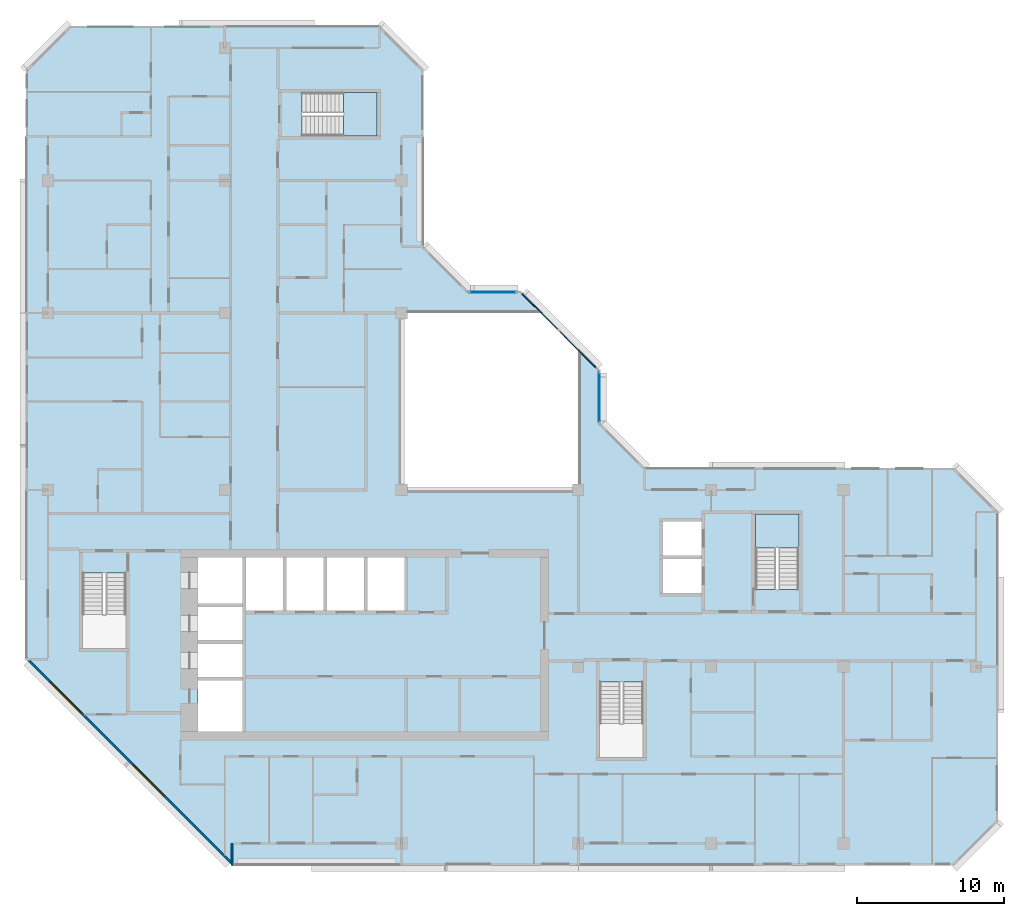
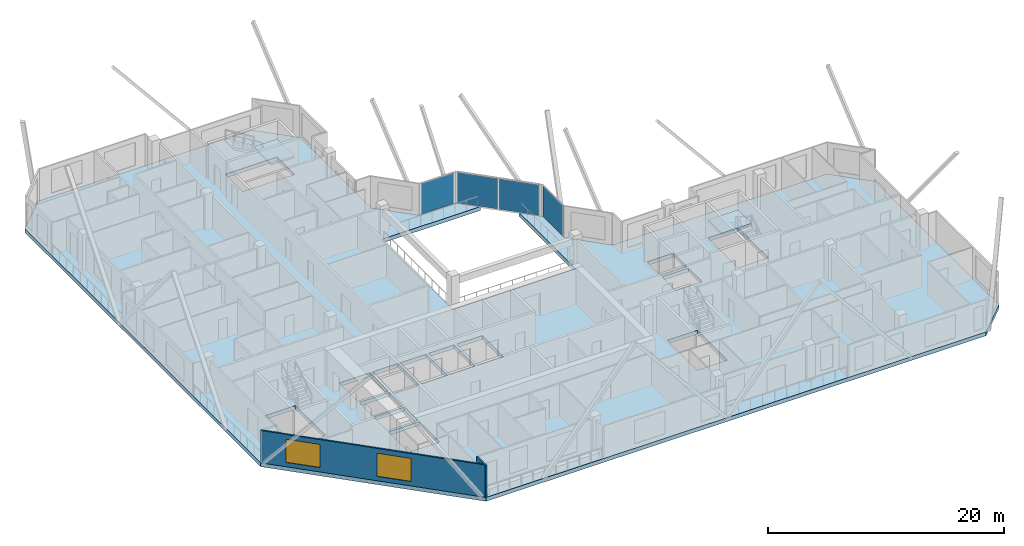
# One storey, part 3 of 13: 4 plates, 3 slabs, 2 walls, 2 windows, 2 openings, 5 elements without a shape of their own.
"""IFC4 building model written with IfcOpenShell, lengths in metres."""

from ifc_helpers import new_model, si_unit, direction, frame, frame_2d, origin, origin_2d, place, context, subcontext, project, spatial, polyline, rectangle, outline, extrude, material, layer, layer_set, type_object, element, fill, aggregate, save


model = new_model("IFC4")

# Units and contexts
model_context = context("Model", 3, precision=1e-05, world=origin(), true_north=direction((0.0, 1.0)))
body_context = subcontext(model_context, "Body", "Model", "MODEL_VIEW")
ifc_project = project(units=[si_unit("LENGTHUNIT", "METRE"), si_unit("AREAUNIT", "SQUARE_METRE"), si_unit("VOLUMEUNIT", "CUBIC_METRE"), si_unit("PLANEANGLEUNIT", "RADIAN"), si_unit("MASSUNIT", "GRAM", prefix="KILO")], contexts=[model_context])

# Site, building, storey
site_placement = place(None, origin())
site = spatial("IfcSite", under=ifc_project, at=site_placement, CompositionType="ELEMENT")
building_placement = place(site_placement, origin())
building = spatial("IfcBuilding", under=site, at=building_placement, Name="Chenar Terraces", CompositionType="ELEMENT")
storey_placement = place(building_placement, frame((0.0, 0.0, 310.89990234375)))
storey = spatial("IfcBuildingStorey", under=building, at=storey_placement, Name="L73", CompositionType="ELEMENT", Elevation=310.89990234375)

# Curtain wall, plate
ifc_material_1 = material(Name="Aluminium framed glazing", Category="aluminium")
ifc_layer_1 = layer(ifc_material_1, 0.14990234375)
ifc_layer_set_1 = layer_set([ifc_layer_1], Name="Aluminium framed glazing")
curtain_wall_type = type_object("IfcCurtainWallType", Name="Atrium upper-zone curtain wall", PredefinedType="NOTDEFINED", material=ifc_layer_set_1)
placement_1 = place(storey_placement, origin())
curtain_wall_1 = element("IfcCurtainWall", 1, at=placement_1, inside=storey, type_object=curtain_wall_type, Name="Atrium upper-zone curtain wall", PredefinedType="NOTDEFINED")
ifc_material_2 = material(Name="Low emissivity laminated glass, solar control coating", Category="glass")
ifc_layer_2 = layer(ifc_material_2, 0.050048828125)
ifc_layer_set_2 = layer_set([ifc_layer_2], Name="Low emissivity laminated glass, solar control coating")
plate_type = type_object("IfcPlateType", Name="Atrium upper-zone glazing panel 50", PredefinedType="CURTAIN_PANEL", material=ifc_layer_set_2)
plate_1_placement = place(storey_placement, frame((37.425048828125, 30.300048828125, 0.10009765625), z_axis=(0.0, 0.0, 1.0), x_axis=(0.0, 1.0, 0.0)))
plate_1 = element("IfcPlate", 2, at=plate_1_placement, type_object=plate_type, Name="CW8-1 panel 1.1", PredefinedType="CURTAIN_PANEL", context=body_context, shape_type="SweptSolid", body=[
    extrude(rectangle(XDim=3.39990234375, YDim=0.050048828125, at=origin_2d()), origin(), (0.0, 0.0, 1.0), 3.14990234375),
])
aggregate(curtain_wall_1, [plate_1])

# Curtain wall, plates
curtain_wall_2 = element("IfcCurtainWall", 3, at=placement_1, inside=storey, type_object=curtain_wall_type, Name="Atrium upper-zone curtain wall", PredefinedType="NOTDEFINED")
plate_2_placement = place(storey_placement, frame((35.97314453125, 33.520751953125, 0.10009765625), z_axis=(0.0, 0.0, 1.0), x_axis=(-0.707106781187, 0.707106781187, 0.0)))
plate_2 = element("IfcPlate", 4, at=plate_2_placement, type_object=plate_type, Name="CW8-2 panel 1.1", PredefinedType="CURTAIN_PANEL", context=body_context, shape_type="SweptSolid", body=[
    extrude(rectangle(XDim=3.568359375, YDim=0.050048828125, at=origin_2d()), origin(), (0.0, 0.0, 1.0), 3.14990234375),
])
plate_3_placement = place(storey_placement, frame((33.379150390625, 36.11474609375, 0.10009765625), z_axis=(0.0, 0.0, 1.0), x_axis=(-0.707106781187, 0.707106781187, 0.0)))
plate_3 = element("IfcPlate", 5, at=plate_3_placement, type_object=plate_type, Name="CW8-2 panel 2.1", PredefinedType="CURTAIN_PANEL", context=body_context, shape_type="SweptSolid", body=[
    extrude(rectangle(XDim=3.568359375, YDim=0.050048828125, at=origin_2d()), origin(), (0.0, 0.0, 1.0), 3.14990234375),
])
aggregate(curtain_wall_2, [plate_2, plate_3])

# Curtain wall, plate
curtain_wall_3 = element("IfcCurtainWall", 6, at=placement_1, inside=storey, type_object=curtain_wall_type, Name="Atrium upper-zone curtain wall", PredefinedType="NOTDEFINED")
plate_4_placement = place(storey_placement, frame((30.199951171875, 37.425048828125, 0.10009765625), z_axis=(0.0, 0.0, 1.0), x_axis=(-1.0, 0.0, 0.0)))
plate_4 = element("IfcPlate", 7, at=plate_4_placement, type_object=plate_type, Name="CW8-3 panel 1.1", PredefinedType="CURTAIN_PANEL", context=body_context, shape_type="SweptSolid", body=[
    extrude(rectangle(XDim=3.199951171875, YDim=0.050048828125, at=origin_2d()), origin(), (0.0, 0.0, 1.0), 3.14990234375),
])
aggregate(curtain_wall_3, [plate_4])

# Stair, slab
ifc_material_3 = material(Name="Reinforced concrete C40/50", Category="concrete")
stair_type = type_object("IfcStairType", Name="Core stair 1400 half-turn", PredefinedType="HALF_TURN_STAIR", material=ifc_material_3)
stair_1 = element("IfcStair", 8, at=placement_1, inside=storey, type_object=stair_type, Name="L73 Stair 3", PredefinedType="HALF_TURN_STAIR")
ifc_material_4 = material(Name="Reinforced concrete C40/50", Category="concrete")
ifc_layer_3 = layer(ifc_material_4, 0.199951171875)
ifc_layer_set_3 = layer_set([ifc_layer_3], Name="Reinforced concrete C40/50")
slab_type_1 = type_object("IfcSlabType", Name="Core stair landing 200", PredefinedType="LANDING", material=ifc_layer_set_3)
placement_2 = place(storey_placement, frame((0.0, 0.0, 1.675048828125)))
slab_1 = element("IfcSlab", 9, at=placement_2, type_object=slab_type_1, Name="ST3 landing 1", PredefinedType="LANDING", context=body_context, shape_type="SweptSolid", body=[
    extrude(outline(polyline([(50.97509765625, 20.050048828125), (50.97509765625, 22.35009765625), (48.02490234375, 22.35009765625), (48.02490234375, 20.050048828125), (50.97509765625, 20.050048828125)])), origin(), (0.0, 0.0, 1.0), 0.199951171875),
])
aggregate(stair_1, [slab_1])

stair_2 = element("IfcStair", 10, at=placement_1, inside=storey, type_object=stair_type, Name="L73 Stair 4", PredefinedType="HALF_TURN_STAIR")
slab_2 = element("IfcSlab", 11, at=placement_2, type_object=slab_type_1, Name="ST4 landing 1", PredefinedType="LANDING", context=body_context, shape_type="SweptSolid", body=[
    extrude(outline(polyline([(20.050048828125, 48.02490234375), (22.35009765625, 48.02490234375), (22.35009765625, 50.97509765625), (20.050048828125, 50.97509765625), (20.050048828125, 48.02490234375)])), origin(), (0.0, 0.0, 1.0), 0.199951171875),
])
aggregate(stair_2, [slab_2])

# Slab
ifc_material_5 = material(Name="Concrete C40/50", Category="concrete")
ifc_layer_4 = layer(ifc_material_5, 0.39990234375)
ifc_layer_set_4 = layer_set([ifc_layer_4], Name="Concrete C40/50")
slab_type_2 = type_object("IfcSlabType", Name="Floor slab 400 Concrete C40/50", PredefinedType="FLOOR", material=ifc_layer_set_4)
slab_3_placement = place(storey_placement, frame((0.0, 0.0, -0.39990234375)))
element("IfcSlab", 12, at=slab_3_placement, inside=storey, type_object=slab_type_2, Name="Floor slab L73", PredefinedType="FLOOR", context=body_context, shape_type="SweptSolid", body=[
    extrude(outline(polyline([(64.5, 22.5), (64.5, 1.5), (61.5, -1.5), (12.5, -1.5), (-1.5, 12.5), (-1.5, 52.5), (1.5, 55.5), (22.5, 55.5), (25.5, 52.5), (25.5, 40.5), (28.5, 37.5), (32.10009765625, 37.5), (33.60009765625, 36.0), (24.0, 36.0), (24.0, 24.0), (36.0, 24.0), (36.0, 33.60009765625), (37.5, 32.10009765625), (37.5, 28.5), (40.5, 25.5), (61.5, 25.5), (64.5, 22.5)]), holes=[polyline([(10.199951171875, 11.050048828125), (10.199951171875, 7.60009765625), (13.199951171875, 7.60009765625), (13.199951171875, 11.050048828125), (10.199951171875, 11.050048828125)]), polyline([(13.199951171875, 13.550048828125), (10.199951171875, 13.550048828125), (10.199951171875, 11.300048828125), (13.199951171875, 11.300048828125), (13.199951171875, 13.550048828125)]), polyline([(13.199951171875, 16.050048828125), (10.199951171875, 16.050048828125), (10.199951171875, 13.800048828125), (13.199951171875, 13.800048828125), (13.199951171875, 16.050048828125)]), polyline([(2.35009765625, 13.25), (5.300048828125, 13.25), (5.300048828125, 18.35009765625), (2.35009765625, 18.35009765625), (2.35009765625, 13.25)]), polyline([(15.949951171875, 19.39990234375), (13.449951171875, 19.39990234375), (13.449951171875, 15.800048828125), (15.949951171875, 15.800048828125), (15.949951171875, 19.39990234375)]), polyline([(18.699951171875, 19.39990234375), (16.199951171875, 19.39990234375), (16.199951171875, 15.800048828125), (18.699951171875, 15.800048828125), (18.699951171875, 19.39990234375)]), polyline([(13.199951171875, 19.39990234375), (10.199951171875, 19.39990234375), (10.199951171875, 16.300048828125), (13.199951171875, 16.300048828125), (13.199951171875, 19.39990234375)]), polyline([(22.35009765625, 48.02490234375), (22.35009765625, 50.97509765625), (17.25, 50.97509765625), (17.25, 48.02490234375), (22.35009765625, 48.02490234375)]), polyline([(37.449951171875, 5.85009765625), (40.39990234375, 5.85009765625), (40.39990234375, 10.949951171875), (37.449951171875, 10.949951171875), (37.449951171875, 5.85009765625)]), polyline([(21.449951171875, 19.39990234375), (18.949951171875, 19.39990234375), (18.949951171875, 15.800048828125), (21.449951171875, 15.800048828125), (21.449951171875, 19.39990234375)]), polyline([(24.199951171875, 19.39990234375), (21.699951171875, 19.39990234375), (21.699951171875, 15.800048828125), (24.199951171875, 15.800048828125), (24.199951171875, 19.39990234375)]), polyline([(44.35009765625, 19.300048828125), (41.75, 19.300048828125), (41.75, 17.0), (44.35009765625, 17.0), (44.35009765625, 19.300048828125)]), polyline([(50.97509765625, 22.35009765625), (48.02490234375, 22.35009765625), (48.02490234375, 17.25), (50.97509765625, 17.25), (50.97509765625, 22.35009765625)]), polyline([(44.35009765625, 21.85009765625), (41.75, 21.85009765625), (41.75, 19.550048828125), (44.35009765625, 19.550048828125), (44.35009765625, 21.85009765625)])]), origin(), (0.0, 0.0, 1.0), 0.39990234375),
])

# Wall
ifc_material_6 = material(Name="Terracotta cladding on insulated backing", Category="masonry")
ifc_layer_5 = layer(ifc_material_6, 0.14990234375)
ifc_layer_set_5 = layer_set([ifc_layer_5], Name="Terracotta cladding on insulated backing")
wall_type_1 = type_object("IfcWallType", Name="Loggia return wall 150", PredefinedType="SOLIDWALL", material=ifc_layer_set_5)
wall_1_placement = place(storey_placement, frame((12.5, -1.5, 0.0), z_axis=(0.0, 0.0, 1.0), x_axis=(0.0, 1.0, 0.0)))
element("IfcWall", 13, at=wall_1_placement, inside=storey, type_object=wall_type_1, Name="Loggia return wall", PredefinedType="SOLIDWALL", context=body_context, shape_type="SweptSolid", body=[
    extrude(rectangle(XDim=1.5, YDim=0.14990234375, at=frame_2d((0.75, 0.0))), origin(), (0.0, 0.0, 1.0), 3.35009765625),
])

# Wall, openings, windows
ifc_material_7 = material(Name="Terracotta cladding on insulated backing", Category="masonry")
ifc_layer_6 = layer(ifc_material_7, 0.14990234375)
ifc_layer_set_6 = layer_set([ifc_layer_6], Name="Terracotta cladding on insulated backing")
wall_type_2 = type_object("IfcWallType", Name="Terracotta rainscreen wall 150", PredefinedType="SOLIDWALL", material=ifc_layer_set_6)
wall_2_placement = place(storey_placement, frame((-1.447021484375, 12.552978515625, 0.0), z_axis=(0.0, 0.0, 1.0), x_axis=(0.707106781187, -0.707106781187, 0.0)))
wall_2 = element("IfcWall", 14, at=wall_2_placement, inside=storey, type_object=wall_type_2, Name="Terracotta rainscreen wall", PredefinedType="SOLIDWALL", context=body_context, shape_type="SweptSolid", body=[
    extrude(rectangle(XDim=19.799072265625, YDim=0.14990234375, at=frame_2d((9.8994140625, 0.0))), origin(), (0.0, 0.0, 1.0), 3.35009765625),
])
opening_1_placement = place(wall_2_placement, frame((2.21240234375, 0.0, 0.449951171875)))
opening_1 = element("IfcOpeningElement", 15, at=opening_1_placement, cuts=wall_2, Name="Opening W300x240", PredefinedType="OPENING", context=body_context, shape_type="SweptSolid", body=[
    extrude(rectangle(XDim=3.0, YDim=2.39990234375, at=frame_2d((1.5, 1.199951171875))), frame((0.0, 0.0849609375, 0.0), z_axis=(0.0, -1.0, 0.0), x_axis=(1.0, 0.0, 0.0)), (0.0, 0.0, 1.0), 0.169921875),
])
opening_2_placement = place(wall_2_placement, frame((10.215576171875, 0.0, 0.449951171875)))
opening_2 = element("IfcOpeningElement", 16, at=opening_2_placement, cuts=wall_2, Name="Opening W300x240", PredefinedType="OPENING", context=body_context, shape_type="SweptSolid", body=[
    extrude(rectangle(XDim=3.0, YDim=2.39990234375, at=frame_2d((1.5, 1.199951171875))), frame((0.0, 0.0849609375, 0.0), z_axis=(0.0, -1.0, 0.0), x_axis=(1.0, 0.0, 0.0)), (0.0, 0.0, 1.0), 0.169921875),
])
ifc_material_8 = material(Name="Low emissivity double glazing, aluminium frame", Category="aluminium")
window_type = type_object("IfcWindowType", Name="Fixed light 3000 x 2400", PartitioningType="SINGLE_PANEL", PredefinedType="WINDOW", material=ifc_material_8)
window_1_placement = place(opening_1_placement, origin())
window_1 = element("IfcWindow", 17, at=window_1_placement, inside=storey, type_object=window_type, Name="Window", OverallHeight=2.39990234375, OverallWidth=3.0, PartitioningType="SINGLE_PANEL", PredefinedType="WINDOW", context=body_context, shape_type="SweptSolid", body=[
    extrude(rectangle(XDim=3.0, YDim=2.39990234375, at=frame_2d((1.5, 1.199951171875))), frame((0.0, 0.030029296875, 0.0), z_axis=(0.0, -1.0, 0.0), x_axis=(1.0, 0.0, 0.0)), (0.0, 0.0, 1.0), 0.06005859375),
])
fill(opening_1, window_1)
window_2_placement = place(opening_2_placement, origin())
window_2 = element("IfcWindow", 18, at=window_2_placement, inside=storey, type_object=window_type, Name="Window", OverallHeight=2.39990234375, OverallWidth=3.0, PartitioningType="SINGLE_PANEL", PredefinedType="WINDOW", context=body_context, shape_type="SweptSolid", body=[
    extrude(rectangle(XDim=3.0, YDim=2.39990234375, at=frame_2d((1.5, 1.199951171875))), frame((0.0, 0.030029296875, 0.0), z_axis=(0.0, -1.0, 0.0), x_axis=(1.0, 0.0, 0.0)), (0.0, 0.0, 1.0), 0.06005859375),
])
fill(opening_2, window_2)

save(model, "model.ifc")
